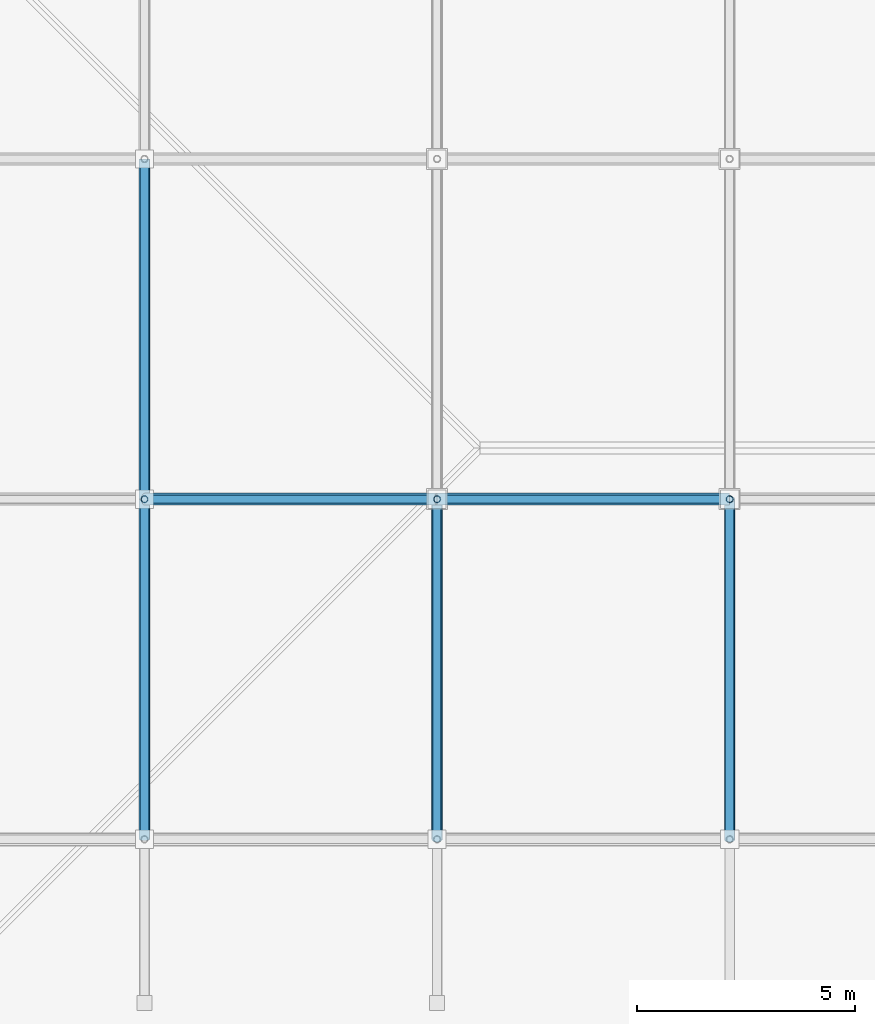
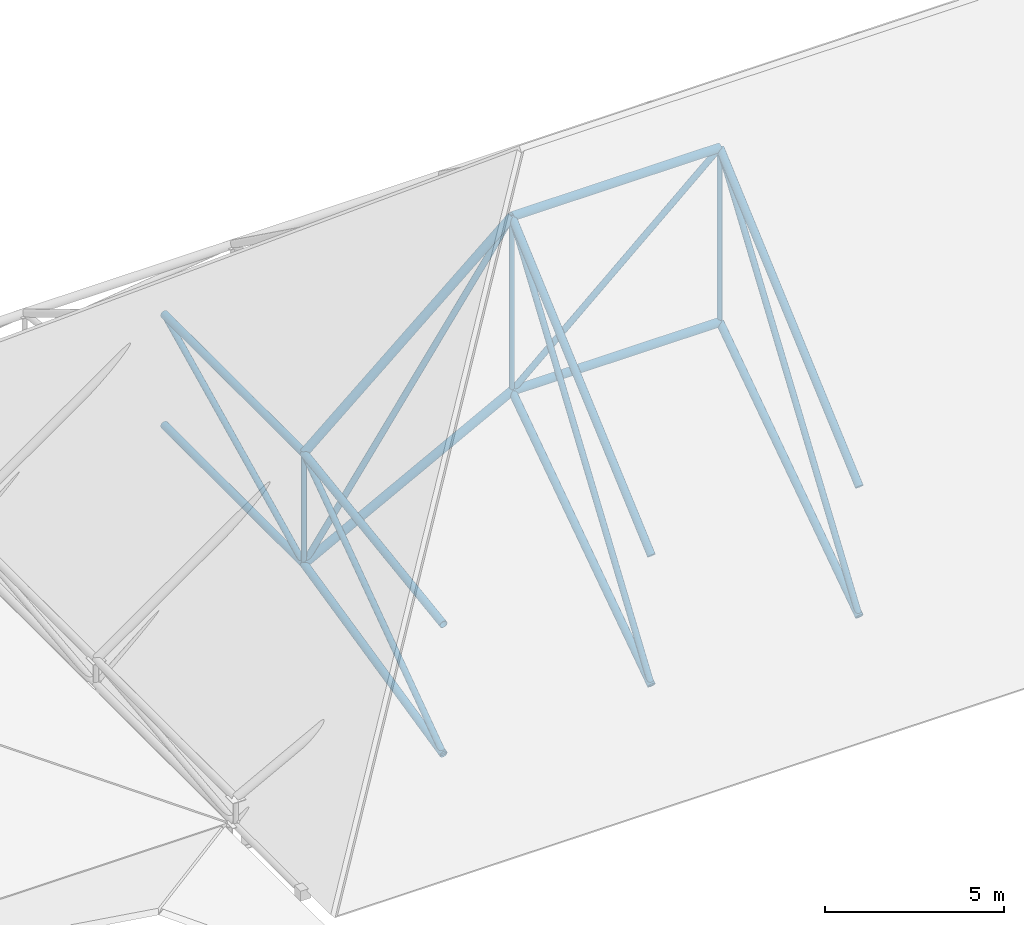
# One storey, part 26 of 77: 21 members.
"""IFC4 building model written with IfcOpenShell, lengths in metres."""

from ifc_helpers import new_model, si_unit, direction, frame, origin, origin_2d, place, context, subcontext, project, spatial, hollow_circle, extrude, material, material_profile, profile_set, type_object, element, save


model = new_model("IFC4")

# Units and contexts
model_context = context("Model", 3, precision=1e-05, world=origin(), true_north=direction((0.0, 1.0)))
body_context = subcontext(model_context, "Body", "Model", "MODEL_VIEW")
ifc_project = project(units=[si_unit("LENGTHUNIT", "METRE"), si_unit("AREAUNIT", "SQUARE_METRE"), si_unit("VOLUMEUNIT", "CUBIC_METRE"), si_unit("PLANEANGLEUNIT", "RADIAN"), si_unit("MASSUNIT", "GRAM", prefix="KILO")], contexts=[model_context])

# Site, building, storey
site_placement = place(None, origin())
site = spatial("IfcSite", under=ifc_project, at=site_placement, CompositionType="ELEMENT")
building_placement = place(site_placement, origin())
building = spatial("IfcBuilding", under=site, at=building_placement, Name="Nabrawat Pavilion Hospital", CompositionType="ELEMENT")
storey_placement = place(building_placement, frame((0.0, 0.0, 14.85009765625)))
storey = spatial("IfcBuildingStorey", under=building, at=storey_placement, Name="L03", CompositionType="ELEMENT", Elevation=14.85009765625)

# Members
ifc_material = material(Name="Steel S355", Category="steel")
ifc_material_profile_1 = material_profile(ifc_material, hollow_circle(Radius=0.136474609375, WallThickness=0.012451171875, at=origin_2d()), Name="CHS 273x12.5")
ifc_profile_set_1 = profile_set([ifc_material_profile_1], Name="Steel S355")
member_type_1 = type_object("IfcMemberType", Name="Space Frame Primary Chord CHS 273x12.5", PredefinedType="CHORD", material=ifc_profile_set_1)
member_1_placement = place(storey_placement, frame((65.6279296875, 23.39990234375, 5.493408203125), z_axis=(0.761113055619, 0.0, 0.648619238511), x_axis=(0.0, 1.0, 0.0)))
element("IfcMember", 1, at=member_1_placement, inside=storey, type_object=member_type_1, Name="Space Frame Chord Top X 0033", PredefinedType="CHORD", context=body_context, shape_type="SweptSolid", body=[
    extrude(hollow_circle(Radius=0.136474609375, WallThickness=0.012451171875, at=origin_2d()), origin(), (0.0, 0.0, 1.0), 8.8134765625),
])
member_2_placement = place(storey_placement, frame((65.6279296875, 23.39990234375, 1.716064453125), z_axis=(0.884161784779, 0.0, 0.467180841149), x_axis=(0.0, 1.0, 0.0)))
element("IfcMember", 2, at=member_2_placement, inside=storey, type_object=member_type_1, Name="Space Frame Chord Bottom X 0034", PredefinedType="CHORD", context=body_context, shape_type="SweptSolid", body=[
    extrude(hollow_circle(Radius=0.136474609375, WallThickness=0.012451171875, at=origin_2d()), origin(), (0.0, 0.0, 1.0), 7.5869140625),
])
for number, where, z_axis, x_axis, name in (
    (3, (72.3359375, 23.39990234375, 11.2099609375), (1.0, 0.0, 0.0), (0.0, 1.0, 0.0), "Space Frame Chord Top X 0058"),
    (4, (72.3359375, 23.39990234375, 5.260498046875), (1.0, 0.0, 0.0), (0.0, 1.0, 0.0), "Space Frame Chord Bottom X 0059"),
):
    element("IfcMember", number, at=place(storey_placement, frame(where, z_axis=z_axis, x_axis=x_axis)), inside=storey, type_object=member_type_1, Name=name, PredefinedType="CHORD", context=body_context, shape_type="SweptSolid", body=[
        extrude(hollow_circle(Radius=0.136474609375, WallThickness=0.012451171875, at=origin_2d()), origin(), (0.0, 0.0, 1.0), 6.7080078125),
    ])
ifc_material_profile_2 = material_profile(ifc_material, hollow_circle(Radius=0.096923828125, WallThickness=0.010009765625, at=origin_2d()), Name="CHS 193.7x10")
ifc_profile_set_2 = profile_set([ifc_material_profile_2], Name="Steel S355")
member_type_2 = type_object("IfcMemberType", Name="Space Frame Primary Diagonal CHS 193.7x10", PredefinedType="BRACE", material=ifc_profile_set_2)
member_3_placement = place(storey_placement, frame((65.6279296875, 15.60009765625, -0.050048828125), z_axis=(0.0, 0.815106855045, 0.579310637619), x_axis=(-1.0, 0.0, 0.0)))
element("IfcMember", 5, at=member_3_placement, inside=storey, type_object=member_type_2, Name="Space Frame Diagonal Web Y 0032", PredefinedType="BRACE", context=body_context, shape_type="SweptSolid", body=[
    extrude(hollow_circle(Radius=0.096923828125, WallThickness=0.010009765625, at=origin_2d()), origin(), (0.0, 0.0, 1.0), 9.569091796875),
])
member_4_placement = place(storey_placement, frame((65.6279296875, 23.39990234375, 1.716064453125), z_axis=(0.577052542048, 0.0, 0.816707024407), x_axis=(0.0, 1.0, 0.0)))
element("IfcMember", 6, at=member_4_placement, inside=storey, type_object=member_type_2, Name="Space Frame Diagonal Web X 0038", PredefinedType="BRACE", context=body_context, shape_type="SweptSolid", body=[
    extrude(hollow_circle(Radius=0.096923828125, WallThickness=0.010009765625, at=origin_2d()), origin(), (0.0, 0.0, 1.0), 11.62451171875),
])
member_5_placement = place(storey_placement, frame((65.6279296875, 23.39990234375, 1.716064453125), z_axis=(0.0, 0.90001775788, 0.435853227016), x_axis=(-1.0, 0.0, 0.0)))
element("IfcMember", 7, at=member_5_placement, inside=storey, type_object=member_type_2, Name="Space Frame Diagonal Web Y 0039", PredefinedType="BRACE", context=body_context, shape_type="SweptSolid", body=[
    extrude(hollow_circle(Radius=0.096923828125, WallThickness=0.010009765625, at=origin_2d()), origin(), (0.0, 0.0, 1.0), 8.66650390625),
])
member_6_placement = place(storey_placement, frame((72.3359375, 15.60009765625, -0.050048828125), z_axis=(0.0, 0.569427763017, 0.8220413753), x_axis=(-1.0, 0.0, 0.0)))
element("IfcMember", 8, at=member_6_placement, inside=storey, type_object=member_type_2, Name="Space Frame Diagonal Web Y 0057", PredefinedType="BRACE", context=body_context, shape_type="SweptSolid", body=[
    extrude(hollow_circle(Radius=0.096923828125, WallThickness=0.010009765625, at=origin_2d()), origin(), (0.0, 0.0, 1.0), 13.697509765625),
])
member_7_placement = place(storey_placement, frame((72.3359375, 23.39990234375, 5.260498046875), z_axis=(0.748140477109, 0.0, 0.663540372932), x_axis=(0.0, 1.0, 0.0)))
element("IfcMember", 9, at=member_7_placement, inside=storey, type_object=member_type_2, Name="Space Frame Diagonal Web X 0063", PredefinedType="BRACE", context=body_context, shape_type="SweptSolid", body=[
    extrude(hollow_circle(Radius=0.096923828125, WallThickness=0.010009765625, at=origin_2d()), origin(), (0.0, 0.0, 1.0), 8.96630859375),
])
member_8_placement = place(storey_placement, frame((79.0439453125, 15.60009765625, -0.050048828125), z_axis=(0.0, 0.569427763017, 0.8220413753), x_axis=(-1.0, 0.0, 0.0)))
element("IfcMember", 10, at=member_8_placement, inside=storey, type_object=member_type_2, Name="Space Frame Diagonal Web Y 0082", PredefinedType="BRACE", context=body_context, shape_type="SweptSolid", body=[
    extrude(hollow_circle(Radius=0.096923828125, WallThickness=0.010009765625, at=origin_2d()), origin(), (0.0, 0.0, 1.0), 13.697509765625),
])
ifc_material_profile_3 = material_profile(ifc_material, hollow_circle(Radius=0.122314453125, WallThickness=0.012451171875, at=origin_2d()), Name="CHS 244.5x12.5")
ifc_profile_set_3 = profile_set([ifc_material_profile_3], Name="Steel S355")
member_type_3 = type_object("IfcMemberType", Name="Space Frame Transverse Chord CHS 244.5x12.5", PredefinedType="CHORD", material=ifc_profile_set_3)
member_9_placement = place(storey_placement, frame((65.6279296875, 15.60009765625, 4.373046875), z_axis=(0.0, 0.989840762586, 0.142180395002), x_axis=(-1.0, 0.0, 0.0)))
element("IfcMember", 11, at=member_9_placement, inside=storey, type_object=member_type_3, Name="Space Frame Chord Top Y 0028", PredefinedType="CHORD", context=body_context, shape_type="SweptSolid", body=[
    extrude(hollow_circle(Radius=0.122314453125, WallThickness=0.012451171875, at=origin_2d()), origin(), (0.0, 0.0, 1.0), 7.8798828125),
])
member_10_placement = place(storey_placement, frame((65.6279296875, 15.60009765625, -0.050048828125), z_axis=(0.0, 0.975310073421, 0.220839898307), x_axis=(-1.0, 0.0, 0.0)))
element("IfcMember", 12, at=member_10_placement, inside=storey, type_object=member_type_3, Name="Space Frame Chord Bottom Y 0029", PredefinedType="CHORD", context=body_context, shape_type="SweptSolid", body=[
    extrude(hollow_circle(Radius=0.122314453125, WallThickness=0.012451171875, at=origin_2d()), origin(), (0.0, 0.0, 1.0), 7.997314453125),
])
for number, where, z_axis, x_axis, name in (
    (13, (65.6279296875, 23.39990234375, 5.493408203125), (0.0, 1.0, 0.0), (-1.0, 0.0, 0.0), "Space Frame Chord Top Y 0035"),
    (14, (65.6279296875, 23.39990234375, 1.716064453125), (0.0, 1.0, 0.0), (-1.0, 0.0, 0.0), "Space Frame Chord Bottom Y 0036"),
):
    element("IfcMember", number, at=place(storey_placement, frame(where, z_axis=z_axis, x_axis=x_axis)), inside=storey, type_object=member_type_3, Name=name, PredefinedType="CHORD", context=body_context, shape_type="SweptSolid", body=[
        extrude(hollow_circle(Radius=0.122314453125, WallThickness=0.012451171875, at=origin_2d()), origin(), (0.0, 0.0, 1.0), 7.800048828125),
    ])
member_11_placement = place(storey_placement, frame((72.3359375, 15.60009765625, 4.373046875), z_axis=(0.0, 0.751998989984, 0.659164258029), x_axis=(-1.0, 0.0, 0.0)))
element("IfcMember", 15, at=member_11_placement, inside=storey, type_object=member_type_3, Name="Space Frame Chord Top Y 0053", PredefinedType="CHORD", context=body_context, shape_type="SweptSolid", body=[
    extrude(hollow_circle(Radius=0.122314453125, WallThickness=0.012451171875, at=origin_2d()), origin(), (0.0, 0.0, 1.0), 10.3720703125),
])
member_12_placement = place(storey_placement, frame((72.3359375, 15.60009765625, -0.050048828125), z_axis=(0.0, 0.826597198855, 0.562793986149), x_axis=(-1.0, 0.0, 0.0)))
element("IfcMember", 16, at=member_12_placement, inside=storey, type_object=member_type_3, Name="Space Frame Chord Bottom Y 0054", PredefinedType="CHORD", context=body_context, shape_type="SweptSolid", body=[
    extrude(hollow_circle(Radius=0.122314453125, WallThickness=0.012451171875, at=origin_2d()), origin(), (0.0, 0.0, 1.0), 9.43603515625),
])
member_13_placement = place(storey_placement, frame((79.0439453125, 15.60009765625, 4.373046875), z_axis=(0.0, 0.751998989984, 0.659164258029), x_axis=(-1.0, 0.0, 0.0)))
element("IfcMember", 17, at=member_13_placement, inside=storey, type_object=member_type_3, Name="Space Frame Chord Top Y 0078", PredefinedType="CHORD", context=body_context, shape_type="SweptSolid", body=[
    extrude(hollow_circle(Radius=0.122314453125, WallThickness=0.012451171875, at=origin_2d()), origin(), (0.0, 0.0, 1.0), 10.3720703125),
])
member_14_placement = place(storey_placement, frame((79.0439453125, 15.60009765625, -0.050048828125), z_axis=(0.0, 0.826597198855, 0.562793986149), x_axis=(-1.0, 0.0, 0.0)))
element("IfcMember", 18, at=member_14_placement, inside=storey, type_object=member_type_3, Name="Space Frame Chord Bottom Y 0079", PredefinedType="CHORD", context=body_context, shape_type="SweptSolid", body=[
    extrude(hollow_circle(Radius=0.122314453125, WallThickness=0.012451171875, at=origin_2d()), origin(), (0.0, 0.0, 1.0), 9.43603515625),
])
ifc_material_profile_4 = material_profile(ifc_material, hollow_circle(Radius=0.07958984375, WallThickness=0.008056640625, at=origin_2d()), Name="CHS 159x8")
ifc_profile_set_4 = profile_set([ifc_material_profile_4], Name="Steel S355")
member_type_4 = type_object("IfcMemberType", Name="Space Frame Vertical Web Post CHS 159x8", PredefinedType="BRACE", material=ifc_profile_set_4)
member_15_placement = place(storey_placement, frame((65.6279296875, 23.39990234375, 1.716064453125), z_axis=(0.0, 0.0, 1.0), x_axis=(1.0, 0.0, 0.0)))
element("IfcMember", 19, at=member_15_placement, inside=storey, type_object=member_type_4, Name="Space Frame Diagonal Post 0037", PredefinedType="BRACE", context=body_context, shape_type="SweptSolid", body=[
    extrude(hollow_circle(Radius=0.07958984375, WallThickness=0.008056640625, at=origin_2d()), origin(), (0.0, 0.0, 1.0), 3.77734375),
])
for number, where, z_axis, x_axis, name in (
    (20, (72.3359375, 23.39990234375, 5.260498046875), (0.0, 0.0, 1.0), (1.0, 0.0, 0.0), "Space Frame Diagonal Post 0062"),
    (21, (79.0439453125, 23.39990234375, 5.260498046875), (0.0, 0.0, 1.0), (1.0, 0.0, 0.0), "Space Frame Diagonal Post 0087"),
):
    element("IfcMember", number, at=place(storey_placement, frame(where, z_axis=z_axis, x_axis=x_axis)), inside=storey, type_object=member_type_4, Name=name, PredefinedType="BRACE", context=body_context, shape_type="SweptSolid", body=[
        extrude(hollow_circle(Radius=0.07958984375, WallThickness=0.008056640625, at=origin_2d()), origin(), (0.0, 0.0, 1.0), 5.949462890625),
    ])

save(model, "model.ifc")
